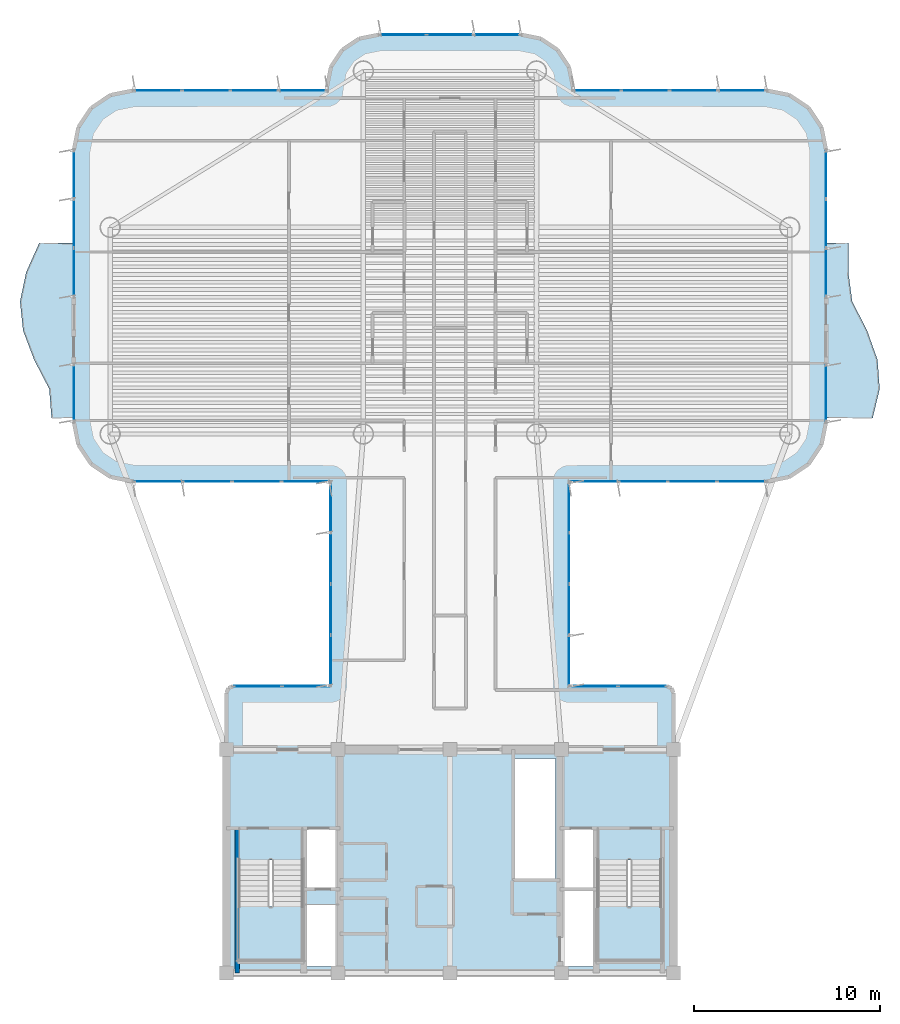
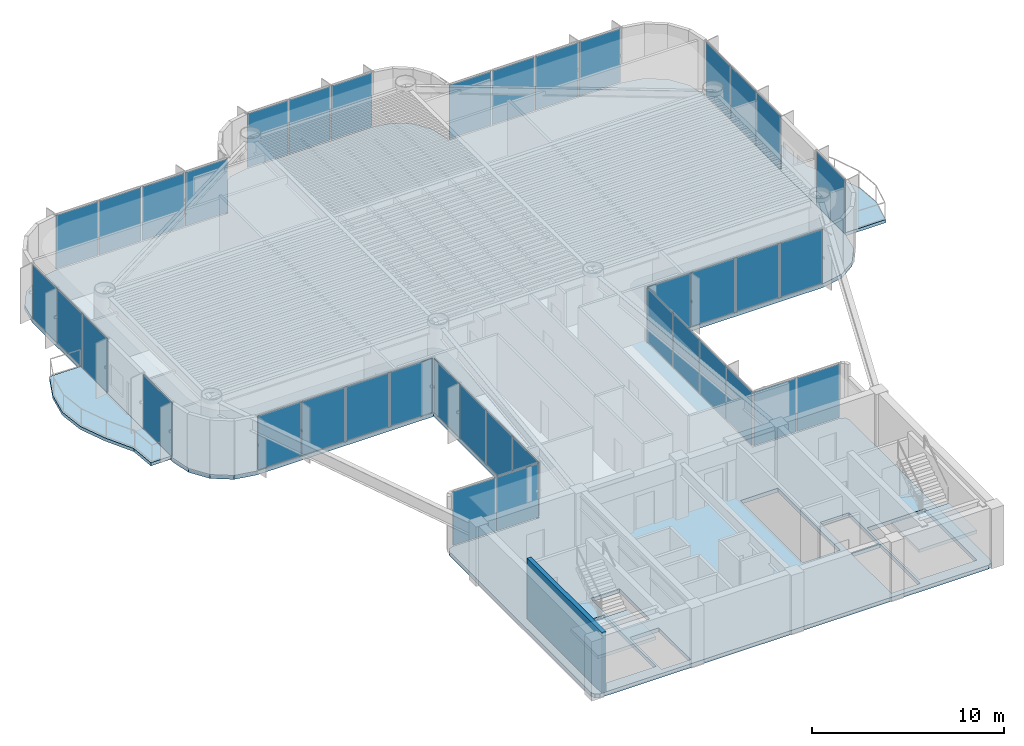
# One storey, part 8 of 15: 39 plates, 5 slabs, 1 wall, 15 elements without a shape of their own.
"""IFC4 building model written with IfcOpenShell, lengths in metres."""

from ifc_helpers import new_model, si_unit, direction, frame, frame_2d, origin, origin_2d, place, context, subcontext, project, spatial, polyline, rectangle, outline, extrude, source, transform, mapped, material, layer, layer_set, type_object, element, aggregate, save


model = new_model("IFC4")

# Units and contexts
model_context = context("Model", 3, precision=1e-05, world=origin(), true_north=direction((0.0, 1.0)))
body_context = subcontext(model_context, "Body", "Model", "MODEL_VIEW")
ifc_project = project(units=[si_unit("LENGTHUNIT", "METRE"), si_unit("AREAUNIT", "SQUARE_METRE"), si_unit("VOLUMEUNIT", "CUBIC_METRE"), si_unit("PLANEANGLEUNIT", "RADIAN"), si_unit("MASSUNIT", "GRAM", prefix="KILO")], contexts=[model_context])

# Site, building, storey
site_placement = place(None, origin())
site = spatial("IfcSite", under=ifc_project, at=site_placement, CompositionType="ELEMENT")
building_placement = place(site_placement, origin())
building = spatial("IfcBuilding", under=site, at=building_placement, Name="Brelvock Crest Care Tower", CompositionType="ELEMENT")
storey_placement = place(building_placement, frame((0.0, 0.0, 167.760009765625)))
storey = spatial("IfcBuildingStorey", under=building, at=storey_placement, Name="L42", CompositionType="ELEMENT", Elevation=167.760009765625)

# Slabs
ifc_material_1 = material(Name="Concrete N50 (50 MPa)", Category="concrete")
ifc_layer_1 = layer(ifc_material_1, 0.25, Name="SLB-FL3")
ifc_layer_set_1 = layer_set([ifc_layer_1], Name="Concrete N50 (50 MPa)")
slab_type_1 = type_object("IfcSlabType", Name="SLB-FL3", PredefinedType="FLOOR", material=ifc_layer_set_1)
slab_1_placement = place(storey_placement, frame((0.0, 0.0, -0.25)))
element("IfcSlab", 1, at=slab_1_placement, inside=storey, type_object=slab_type_1, Name="L42 Main Structural Slab", PredefinedType="FLOOR", context=body_context, shape_type="SweptSolid", body=[
    extrude(outline(polyline([(47.64990234375, 21.39990234375), (42.39990234375, 21.39990234375), (42.39990234375, 32.39990234375), (53.0, 32.39990234375), (54.224609375, 32.6435546875), (55.2626953125, 33.33740234375), (55.956298828125, 34.37548828125), (56.199951171875, 35.60009765625), (56.199951171875, 50.199951171875), (55.956298828125, 51.424560546875), (55.2626953125, 52.462646484375), (54.224609375, 53.156494140625), (53.0, 53.39990234375), (42.60009765625, 53.39990234375), (42.60009765625, 53.60009765625), (42.386962890625, 54.67138671875), (41.77978515625, 55.579833984375), (40.87158203125, 56.18701171875), (39.800048828125, 56.39990234375), (32.199951171875, 56.39990234375), (31.12841796875, 56.18701171875), (30.22021484375, 55.579833984375), (29.613037109375, 54.67138671875), (29.39990234375, 53.60009765625), (29.39990234375, 53.39990234375), (19.0, 53.39990234375), (17.775390625, 53.156494140625), (16.7373046875, 52.462646484375), (16.043701171875, 51.424560546875), (15.800048828125, 50.199951171875), (15.800048828125, 35.60009765625), (16.043701171875, 34.37548828125), (16.7373046875, 33.33740234375), (17.775390625, 32.6435546875), (19.0, 32.39990234375), (29.60009765625, 32.39990234375), (29.60009765625, 21.39990234375), (24.35009765625, 21.39990234375), (24.1025390625, 21.297607421875), (24.0, 21.050048828125), (24.0, 6.35009765625), (24.1025390625, 6.1025390625), (24.35009765625, 6.0), (47.64990234375, 6.0), (47.8974609375, 6.1025390625), (48.0, 6.35009765625), (48.0, 21.050048828125), (47.8974609375, 21.297607421875), (47.64990234375, 21.39990234375)]), holes=[polyline([(28.239990234375, 10.580078125), (29.97998046875, 10.580078125), (29.97998046875, 13.739990234375), (28.239990234375, 13.739990234375), (28.239990234375, 10.580078125)]), polyline([(42.02001953125, 10.580078125), (43.760009765625, 10.580078125), (43.760009765625, 13.739990234375), (42.02001953125, 13.739990234375), (42.02001953125, 10.580078125)]), polyline([(28.239990234375, 6.340087890625), (29.97998046875, 6.340087890625), (29.97998046875, 9.64990234375), (28.239990234375, 9.64990234375), (28.239990234375, 6.340087890625)]), polyline([(24.6298828125, 12.080078125), (24.6298828125, 6.699951171875), (28.110107421875, 6.699951171875), (28.110107421875, 12.080078125), (24.6298828125, 12.080078125)]), polyline([(43.889892578125, 12.080078125), (43.889892578125, 6.699951171875), (47.3701171875, 6.699951171875), (47.3701171875, 12.080078125), (43.889892578125, 12.080078125)]), polyline([(42.02001953125, 6.340087890625), (43.760009765625, 6.340087890625), (43.760009765625, 10.5), (42.02001953125, 10.5), (42.02001953125, 6.340087890625)]), polyline([(39.429931640625, 11.030029296875), (41.669921875, 11.030029296875), (41.669921875, 17.52001953125), (39.429931640625, 17.52001953125), (39.429931640625, 11.030029296875)])]), origin(), (0.0, 0.0, 1.0), 0.25),
])
ifc_layer_2 = layer(ifc_material_1, 0.199951171875, Name="SLB-WB2")
ifc_layer_set_2 = layer_set([ifc_layer_2], Name="Concrete N50 (50 MPa)")
slab_type_2 = type_object("IfcSlabType", Name="SLB-WB2", PredefinedType="FLOOR", material=ifc_layer_set_2)
slab_2_placement = place(storey_placement, frame((0.0, 0.0, -0.199951171875)))
element("IfcSlab", 2, at=slab_2_placement, inside=storey, type_object=slab_type_2, Name="L42 W Sinusoidal Wave Balcony Slab", PredefinedType="FLOOR", context=body_context, shape_type="SweptSolid", body=[
    extrude(outline(polyline([(15.800048828125, 45.199951171875), (13.934814453125, 45.199951171875), (13.235107421875, 43.63330078125), (12.907470703125, 42.066650390625), (13.072021484375, 40.5), (13.668701171875, 38.933349609375), (14.478515625, 37.36669921875), (14.60009765625, 35.800048828125), (15.800048828125, 35.800048828125), (15.800048828125, 45.199951171875)])), origin(), (0.0, 0.0, 1.0), 0.199951171875),
])
slab_3_placement = place(storey_placement, frame((0.0, 0.0, -0.199951171875)))
element("IfcSlab", 3, at=slab_3_placement, inside=storey, type_object=slab_type_2, Name="L42 E Sinusoidal Wave Balcony Slab", PredefinedType="FLOOR", context=body_context, shape_type="SweptSolid", body=[
    extrude(outline(polyline([(56.199951171875, 35.800048828125), (58.70458984375, 35.800048828125), (59.08056640625, 37.36669921875), (58.968505859375, 38.933349609375), (58.40966796875, 40.5), (57.60888671875, 42.066650390625), (57.39990234375, 43.63330078125), (57.39990234375, 45.199951171875), (56.199951171875, 45.199951171875), (56.199951171875, 35.800048828125)])), origin(), (0.0, 0.0, 1.0), 0.199951171875),
])

# Stair, slab
ifc_material_2 = material(Name="Concrete N40 (40 MPa)", Category="concrete")
stair_type = type_object("IfcStairType", Name="ST-CORE1", PredefinedType="HALF_TURN_STAIR", material=ifc_material_2)
stair_1_placement = place(storey_placement, origin())
stair_1 = element("IfcStair", 4, at=stair_1_placement, inside=storey, type_object=stair_type, Name="L42 Fire-Isolated Core Stair ST-1", PredefinedType="HALF_TURN_STAIR")
ifc_layer_3 = layer(ifc_material_2, 0.199951171875, Name="STL-1")
ifc_layer_set_3 = layer_set([ifc_layer_3], Name="Concrete N40 (40 MPa)")
slab_type_3 = type_object("IfcSlabType", Name="STL-1", PredefinedType="LANDING", material=ifc_layer_set_3)
slab_4_placement = place(storey_placement, frame((0.0, 0.0, 1.68994140625)))
slab_4 = element("IfcSlab", 5, at=slab_4_placement, type_object=slab_type_3, Name="ST-1 landing 1", PredefinedType="LANDING", context=body_context, shape_type="SweptSolid", body=[
    extrude(outline(polyline([(24.6298828125, 9.56005859375), (24.6298828125, 6.699951171875), (28.110107421875, 6.699951171875), (28.110107421875, 9.56005859375), (24.6298828125, 9.56005859375)])), origin(), (0.0, 0.0, 1.0), 0.199951171875),
])
aggregate(stair_1, [slab_4])

stair_2_placement = place(storey_placement, origin())
stair_2 = element("IfcStair", 6, at=stair_2_placement, inside=storey, type_object=stair_type, Name="L42 Fire-Isolated Core Stair ST-2", PredefinedType="HALF_TURN_STAIR")
slab_5_placement = place(storey_placement, frame((0.0, 0.0, 1.68994140625)))
slab_5 = element("IfcSlab", 7, at=slab_5_placement, type_object=slab_type_3, Name="ST-2 landing 1", PredefinedType="LANDING", context=body_context, shape_type="SweptSolid", body=[
    extrude(outline(polyline([(43.889892578125, 9.56005859375), (43.889892578125, 6.699951171875), (47.3701171875, 6.699951171875), (47.3701171875, 9.56005859375), (43.889892578125, 9.56005859375)])), origin(), (0.0, 0.0, 1.0), 0.199951171875),
])
aggregate(stair_2, [slab_5])

# Curtain wall, plates
ifc_material_3 = material(Name="Dark Glass Double Glazed Low-E", Category="glass")
ifc_layer_4 = layer(ifc_material_3, 0.22509765625, Name="CWS-4")
ifc_layer_set_4 = layer_set([ifc_layer_4], Name="Dark Glass Double Glazed Low-E")
curtain_wall_type = type_object("IfcCurtainWallType", Name="CWS-4", PredefinedType="NOTDEFINED", material=ifc_layer_set_4)
curtain_wall_1_placement = place(storey_placement, origin())
curtain_wall_1 = element("IfcCurtainWall", 8, at=curtain_wall_1_placement, inside=storey, type_object=curtain_wall_type, Name="L42 Curtain Wall E10", PredefinedType="NOTDEFINED")
ifc_layer_5 = layer(ifc_material_3, 0.0380859375, Name="CWP-V2")
ifc_layer_set_5 = layer_set([ifc_layer_5], Name="Dark Glass Double Glazed Low-E")
plate_type = type_object("IfcPlateType", Name="CWP-V2", PredefinedType="CURTAIN_PANEL", material=ifc_layer_set_5)
shared_shape_1 = source(origin(), body_context, "Body", "SweptSolid", [
    extrude(rectangle(XDim=2.534912109375, YDim=0.035888671875, at=origin_2d()), origin(), (0.0, 0.0, 1.0), 3.409912109375),
])
plate_1_placement = place(storey_placement, frame((25.677490234375, 21.39990234375, 0.06005859375), z_axis=(0.0, 0.0, 1.0), x_axis=(1.0, 0.0, 0.0)))
plate_1 = element("IfcPlate", 9, at=plate_1_placement, type_object=plate_type, Name="CW-4 panel 1.1", PredefinedType="CURTAIN_PANEL", context=body_context, shape_type="MappedRepresentation", body=[
    mapped(shared_shape_1, transform((0.0, 0.0, 0.0), x_axis=(1.0, 0.0, 0.0), y_axis=(0.0, 1.0, 0.0), z_axis=(0.0, 0.0, 1.0), scale=1.0)),
])
plate_2_placement = place(storey_placement, frame((28.2724609375, 21.39990234375, 0.06005859375), z_axis=(0.0, 0.0, 1.0), x_axis=(1.0, 0.0, 0.0)))
plate_2 = element("IfcPlate", 10, at=plate_2_placement, type_object=plate_type, Name="CW-4 panel 2.1", PredefinedType="CURTAIN_PANEL", context=body_context, shape_type="MappedRepresentation", body=[
    mapped(shared_shape_1, transform((0.0, 0.0, 0.0), x_axis=(1.0, 0.0, 0.0), y_axis=(0.0, 1.0, 0.0), z_axis=(0.0, 0.0, 1.0), scale=1.0)),
])
aggregate(curtain_wall_1, [plate_1, plate_2])

curtain_wall_2_placement = place(storey_placement, origin())
curtain_wall_2 = element("IfcCurtainWall", 11, at=curtain_wall_2_placement, inside=storey, type_object=curtain_wall_type, Name="L42 Curtain Wall E46", PredefinedType="NOTDEFINED")
plate_3_placement = place(storey_placement, frame((43.7275390625, 21.39990234375, 0.06005859375), z_axis=(0.0, 0.0, 1.0), x_axis=(1.0, 0.0, 0.0)))
plate_3 = element("IfcPlate", 12, at=plate_3_placement, type_object=plate_type, Name="CW-4 panel 1.1", PredefinedType="CURTAIN_PANEL", context=body_context, shape_type="MappedRepresentation", body=[
    mapped(shared_shape_1, transform((0.0, 0.0, 0.0), x_axis=(1.0, 0.0, 0.0), y_axis=(0.0, 1.0, 0.0), z_axis=(0.0, 0.0, 1.0), scale=1.0)),
])
plate_4_placement = place(storey_placement, frame((46.322509765625, 21.39990234375, 0.06005859375), z_axis=(0.0, 0.0, 1.0), x_axis=(1.0, 0.0, 0.0)))
plate_4 = element("IfcPlate", 13, at=plate_4_placement, type_object=plate_type, Name="CW-4 panel 2.1", PredefinedType="CURTAIN_PANEL", context=body_context, shape_type="MappedRepresentation", body=[
    mapped(shared_shape_1, transform((0.0, 0.0, 0.0), x_axis=(1.0, 0.0, 0.0), y_axis=(0.0, 1.0, 0.0), z_axis=(0.0, 0.0, 1.0), scale=1.0)),
])
aggregate(curtain_wall_2, [plate_3, plate_4])

curtain_wall_3_placement = place(storey_placement, origin())
curtain_wall_3 = element("IfcCurtainWall", 14, at=curtain_wall_3_placement, inside=storey, type_object=curtain_wall_type, Name="L42 Curtain Wall E11", PredefinedType="NOTDEFINED")
shared_shape_2 = source(origin(), body_context, "Body", "SweptSolid", [
    extrude(rectangle(XDim=2.659912109375, YDim=0.035888671875, at=origin_2d()), origin(), (0.0, 0.0, 1.0), 3.409912109375),
])
plate_5_placement = place(storey_placement, frame((29.60009765625, 22.7900390625, 0.06005859375), z_axis=(0.0, 0.0, 1.0), x_axis=(0.0, 1.0, 0.0)))
plate_5 = element("IfcPlate", 15, at=plate_5_placement, type_object=plate_type, Name="CW-4 panel 1.1", PredefinedType="CURTAIN_PANEL", context=body_context, shape_type="MappedRepresentation", body=[
    mapped(shared_shape_2, transform((0.0, 0.0, 0.0), x_axis=(1.0, 0.0, 0.0), y_axis=(0.0, 1.0, 0.0), z_axis=(0.0, 0.0, 1.0), scale=1.0)),
])
plate_6_placement = place(storey_placement, frame((29.60009765625, 31.010009765625, 0.06005859375), z_axis=(0.0, 0.0, 1.0), x_axis=(0.0, 1.0, 0.0)))
plate_6 = element("IfcPlate", 16, at=plate_6_placement, type_object=plate_type, Name="CW-4 panel 4.1", PredefinedType="CURTAIN_PANEL", context=body_context, shape_type="MappedRepresentation", body=[
    mapped(shared_shape_2, transform((0.0, 0.0, 0.0), x_axis=(1.0, 0.0, 0.0), y_axis=(0.0, 1.0, 0.0), z_axis=(0.0, 0.0, 1.0), scale=1.0)),
])

curtain_wall_4_placement = place(storey_placement, origin())
curtain_wall_4 = element("IfcCurtainWall", 17, at=curtain_wall_4_placement, inside=storey, type_object=curtain_wall_type, Name="L42 Curtain Wall E45", PredefinedType="NOTDEFINED")
plate_7_placement = place(storey_placement, frame((42.39990234375, 31.010009765625, 0.06005859375), z_axis=(0.0, 0.0, 1.0), x_axis=(0.0, -1.0, 0.0)))
plate_7 = element("IfcPlate", 18, at=plate_7_placement, type_object=plate_type, Name="CW-4 panel 1.1", PredefinedType="CURTAIN_PANEL", context=body_context, shape_type="MappedRepresentation", body=[
    mapped(shared_shape_2, transform((0.0, 0.0, 0.0), x_axis=(1.0, 0.0, 0.0), y_axis=(0.0, 1.0, 0.0), z_axis=(0.0, 0.0, 1.0), scale=1.0)),
])
plate_8_placement = place(storey_placement, frame((42.39990234375, 22.7900390625, 0.06005859375), z_axis=(0.0, 0.0, 1.0), x_axis=(0.0, -1.0, 0.0)))
plate_8 = element("IfcPlate", 19, at=plate_8_placement, type_object=plate_type, Name="CW-4 panel 4.1", PredefinedType="CURTAIN_PANEL", context=body_context, shape_type="MappedRepresentation", body=[
    mapped(shared_shape_2, transform((0.0, 0.0, 0.0), x_axis=(1.0, 0.0, 0.0), y_axis=(0.0, 1.0, 0.0), z_axis=(0.0, 0.0, 1.0), scale=1.0)),
])

# Plate
shared_shape_3 = source(origin(), body_context, "Body", "SweptSolid", [
    extrude(rectangle(XDim=2.68994140625, YDim=0.035888671875, at=origin_2d()), origin(), (0.0, 0.0, 1.0), 3.409912109375),
])
plate_9_placement = place(storey_placement, frame((29.60009765625, 25.52490234375, 0.06005859375), z_axis=(0.0, 0.0, 1.0), x_axis=(0.0, 1.0, 0.0)))
plate_9 = element("IfcPlate", 20, at=plate_9_placement, type_object=plate_type, Name="CW-4 panel 2.1", PredefinedType="CURTAIN_PANEL", context=body_context, shape_type="MappedRepresentation", body=[
    mapped(shared_shape_3, transform((0.0, 0.0, 0.0), x_axis=(1.0, 0.0, 0.0), y_axis=(0.0, 1.0, 0.0), z_axis=(0.0, 0.0, 1.0), scale=1.0)),
])

plate_10_placement = place(storey_placement, frame((29.60009765625, 28.27490234375, 0.06005859375), z_axis=(0.0, 0.0, 1.0), x_axis=(0.0, 1.0, 0.0)))
plate_10 = element("IfcPlate", 21, at=plate_10_placement, type_object=plate_type, Name="CW-4 panel 3.1", PredefinedType="CURTAIN_PANEL", context=body_context, shape_type="MappedRepresentation", body=[
    mapped(shared_shape_3, transform((0.0, 0.0, 0.0), x_axis=(1.0, 0.0, 0.0), y_axis=(0.0, 1.0, 0.0), z_axis=(0.0, 0.0, 1.0), scale=1.0)),
])

aggregate(curtain_wall_3, [plate_5, plate_9, plate_10, plate_6])

plate_11_placement = place(storey_placement, frame((42.39990234375, 28.27490234375, 0.06005859375), z_axis=(0.0, 0.0, 1.0), x_axis=(0.0, -1.0, 0.0)))
plate_11 = element("IfcPlate", 22, at=plate_11_placement, type_object=plate_type, Name="CW-4 panel 2.1", PredefinedType="CURTAIN_PANEL", context=body_context, shape_type="MappedRepresentation", body=[
    mapped(shared_shape_3, transform((0.0, 0.0, 0.0), x_axis=(1.0, 0.0, 0.0), y_axis=(0.0, 1.0, 0.0), z_axis=(0.0, 0.0, 1.0), scale=1.0)),
])

plate_12_placement = place(storey_placement, frame((42.39990234375, 25.52490234375, 0.06005859375), z_axis=(0.0, 0.0, 1.0), x_axis=(0.0, -1.0, 0.0)))
plate_12 = element("IfcPlate", 23, at=plate_12_placement, type_object=plate_type, Name="CW-4 panel 3.1", PredefinedType="CURTAIN_PANEL", context=body_context, shape_type="MappedRepresentation", body=[
    mapped(shared_shape_3, transform((0.0, 0.0, 0.0), x_axis=(1.0, 0.0, 0.0), y_axis=(0.0, 1.0, 0.0), z_axis=(0.0, 0.0, 1.0), scale=1.0)),
])

aggregate(curtain_wall_4, [plate_7, plate_11, plate_12, plate_8])

# Curtain wall, plates
curtain_wall_5_placement = place(storey_placement, origin())
curtain_wall_5 = element("IfcCurtainWall", 24, at=curtain_wall_5_placement, inside=storey, type_object=curtain_wall_type, Name="L42 Curtain Wall E12", PredefinedType="NOTDEFINED")
shared_shape_4 = source(origin(), body_context, "Body", "SweptSolid", [
    extrude(rectangle(XDim=2.56005859375, YDim=0.035888671875, at=origin_2d()), origin(), (0.0, 0.0, 1.0), 3.409912109375),
])
plate_13_placement = place(storey_placement, frame((28.260009765625, 32.39990234375, 0.06005859375), z_axis=(0.0, 0.0, 1.0), x_axis=(-1.0, 0.0, 0.0)))
plate_13 = element("IfcPlate", 25, at=plate_13_placement, type_object=plate_type, Name="CW-4 panel 1.1", PredefinedType="CURTAIN_PANEL", context=body_context, shape_type="MappedRepresentation", body=[
    mapped(shared_shape_4, transform((0.0, 0.0, 0.0), x_axis=(1.0, 0.0, 0.0), y_axis=(0.0, 1.0, 0.0), z_axis=(0.0, 0.0, 1.0), scale=1.0)),
])
plate_14_placement = place(storey_placement, frame((20.340087890625, 32.39990234375, 0.06005859375), z_axis=(0.0, 0.0, 1.0), x_axis=(-1.0, 0.0, 0.0)))
plate_14 = element("IfcPlate", 26, at=plate_14_placement, type_object=plate_type, Name="CW-4 panel 4.1", PredefinedType="CURTAIN_PANEL", context=body_context, shape_type="MappedRepresentation", body=[
    mapped(shared_shape_4, transform((0.0, 0.0, 0.0), x_axis=(1.0, 0.0, 0.0), y_axis=(0.0, 1.0, 0.0), z_axis=(0.0, 0.0, 1.0), scale=1.0)),
])

curtain_wall_6_placement = place(storey_placement, origin())
curtain_wall_6 = element("IfcCurtainWall", 27, at=curtain_wall_6_placement, inside=storey, type_object=curtain_wall_type, Name="L42 Curtain Wall E44", PredefinedType="NOTDEFINED")
plate_15_placement = place(storey_placement, frame((51.659912109375, 32.39990234375, 0.06005859375), z_axis=(0.0, 0.0, 1.0), x_axis=(-1.0, 0.0, 0.0)))
plate_15 = element("IfcPlate", 28, at=plate_15_placement, type_object=plate_type, Name="CW-4 panel 1.1", PredefinedType="CURTAIN_PANEL", context=body_context, shape_type="MappedRepresentation", body=[
    mapped(shared_shape_4, transform((0.0, 0.0, 0.0), x_axis=(1.0, 0.0, 0.0), y_axis=(0.0, 1.0, 0.0), z_axis=(0.0, 0.0, 1.0), scale=1.0)),
])
plate_16_placement = place(storey_placement, frame((43.739990234375, 32.39990234375, 0.06005859375), z_axis=(0.0, 0.0, 1.0), x_axis=(-1.0, 0.0, 0.0)))
plate_16 = element("IfcPlate", 29, at=plate_16_placement, type_object=plate_type, Name="CW-4 panel 4.1", PredefinedType="CURTAIN_PANEL", context=body_context, shape_type="MappedRepresentation", body=[
    mapped(shared_shape_4, transform((0.0, 0.0, 0.0), x_axis=(1.0, 0.0, 0.0), y_axis=(0.0, 1.0, 0.0), z_axis=(0.0, 0.0, 1.0), scale=1.0)),
])

# Plate
shared_shape_5 = source(origin(), body_context, "Body", "SweptSolid", [
    extrude(rectangle(XDim=2.590087890625, YDim=0.035888671875, at=origin_2d()), origin(), (0.0, 0.0, 1.0), 3.409912109375),
])
plate_17_placement = place(storey_placement, frame((25.625, 32.39990234375, 0.06005859375), z_axis=(0.0, 0.0, 1.0), x_axis=(-1.0, 0.0, 0.0)))
plate_17 = element("IfcPlate", 30, at=plate_17_placement, type_object=plate_type, Name="CW-4 panel 2.1", PredefinedType="CURTAIN_PANEL", context=body_context, shape_type="MappedRepresentation", body=[
    mapped(shared_shape_5, transform((0.0, 0.0, 0.0), x_axis=(1.0, 0.0, 0.0), y_axis=(0.0, 1.0, 0.0), z_axis=(0.0, 0.0, 1.0), scale=1.0)),
])

plate_18_placement = place(storey_placement, frame((22.97509765625, 32.39990234375, 0.06005859375), z_axis=(0.0, 0.0, 1.0), x_axis=(-1.0, 0.0, 0.0)))
plate_18 = element("IfcPlate", 31, at=plate_18_placement, type_object=plate_type, Name="CW-4 panel 3.1", PredefinedType="CURTAIN_PANEL", context=body_context, shape_type="MappedRepresentation", body=[
    mapped(shared_shape_5, transform((0.0, 0.0, 0.0), x_axis=(1.0, 0.0, 0.0), y_axis=(0.0, 1.0, 0.0), z_axis=(0.0, 0.0, 1.0), scale=1.0)),
])

aggregate(curtain_wall_5, [plate_13, plate_17, plate_18, plate_14])

plate_19_placement = place(storey_placement, frame((49.02490234375, 32.39990234375, 0.06005859375), z_axis=(0.0, 0.0, 1.0), x_axis=(-1.0, 0.0, 0.0)))
plate_19 = element("IfcPlate", 32, at=plate_19_placement, type_object=plate_type, Name="CW-4 panel 2.1", PredefinedType="CURTAIN_PANEL", context=body_context, shape_type="MappedRepresentation", body=[
    mapped(shared_shape_5, transform((0.0, 0.0, 0.0), x_axis=(1.0, 0.0, 0.0), y_axis=(0.0, 1.0, 0.0), z_axis=(0.0, 0.0, 1.0), scale=1.0)),
])

plate_20_placement = place(storey_placement, frame((46.375, 32.39990234375, 0.06005859375), z_axis=(0.0, 0.0, 1.0), x_axis=(-1.0, 0.0, 0.0)))
plate_20 = element("IfcPlate", 33, at=plate_20_placement, type_object=plate_type, Name="CW-4 panel 3.1", PredefinedType="CURTAIN_PANEL", context=body_context, shape_type="MappedRepresentation", body=[
    mapped(shared_shape_5, transform((0.0, 0.0, 0.0), x_axis=(1.0, 0.0, 0.0), y_axis=(0.0, 1.0, 0.0), z_axis=(0.0, 0.0, 1.0), scale=1.0)),
])

aggregate(curtain_wall_6, [plate_15, plate_19, plate_20, plate_16])

# Curtain wall, plates
curtain_wall_7_placement = place(storey_placement, origin())
curtain_wall_7 = element("IfcCurtainWall", 34, at=curtain_wall_7_placement, inside=storey, type_object=curtain_wall_type, Name="L42 Curtain Wall E22", PredefinedType="NOTDEFINED")
shared_shape_6 = source(origin(), body_context, "Body", "SweptSolid", [
    extrude(rectangle(XDim=2.510009765625, YDim=0.035888671875, at=origin_2d()), origin(), (0.0, 0.0, 1.0), 3.409912109375),
])
plate_21_placement = place(storey_placement, frame((20.31494140625, 53.39990234375, 0.06005859375), z_axis=(0.0, 0.0, 1.0), x_axis=(1.0, 0.0, 0.0)))
plate_21 = element("IfcPlate", 35, at=plate_21_placement, type_object=plate_type, Name="CW-4 panel 1.1", PredefinedType="CURTAIN_PANEL", context=body_context, shape_type="MappedRepresentation", body=[
    mapped(shared_shape_6, transform((0.0, 0.0, 0.0), x_axis=(1.0, 0.0, 0.0), y_axis=(0.0, 1.0, 0.0), z_axis=(0.0, 0.0, 1.0), scale=1.0)),
])
plate_22_placement = place(storey_placement, frame((28.0849609375, 53.39990234375, 0.06005859375), z_axis=(0.0, 0.0, 1.0), x_axis=(1.0, 0.0, 0.0)))
plate_22 = element("IfcPlate", 36, at=plate_22_placement, type_object=plate_type, Name="CW-4 panel 4.1", PredefinedType="CURTAIN_PANEL", context=body_context, shape_type="MappedRepresentation", body=[
    mapped(shared_shape_6, transform((0.0, 0.0, 0.0), x_axis=(1.0, 0.0, 0.0), y_axis=(0.0, 1.0, 0.0), z_axis=(0.0, 0.0, 1.0), scale=1.0)),
])

curtain_wall_8_placement = place(storey_placement, origin())
curtain_wall_8 = element("IfcCurtainWall", 37, at=curtain_wall_8_placement, inside=storey, type_object=curtain_wall_type, Name="L42 Curtain Wall E34", PredefinedType="NOTDEFINED")
plate_23_placement = place(storey_placement, frame((43.9150390625, 53.39990234375, 0.06005859375), z_axis=(0.0, 0.0, 1.0), x_axis=(1.0, 0.0, 0.0)))
plate_23 = element("IfcPlate", 38, at=plate_23_placement, type_object=plate_type, Name="CW-4 panel 1.1", PredefinedType="CURTAIN_PANEL", context=body_context, shape_type="MappedRepresentation", body=[
    mapped(shared_shape_6, transform((0.0, 0.0, 0.0), x_axis=(1.0, 0.0, 0.0), y_axis=(0.0, 1.0, 0.0), z_axis=(0.0, 0.0, 1.0), scale=1.0)),
])
plate_24_placement = place(storey_placement, frame((51.68505859375, 53.39990234375, 0.06005859375), z_axis=(0.0, 0.0, 1.0), x_axis=(1.0, 0.0, 0.0)))
plate_24 = element("IfcPlate", 39, at=plate_24_placement, type_object=plate_type, Name="CW-4 panel 4.1", PredefinedType="CURTAIN_PANEL", context=body_context, shape_type="MappedRepresentation", body=[
    mapped(shared_shape_6, transform((0.0, 0.0, 0.0), x_axis=(1.0, 0.0, 0.0), y_axis=(0.0, 1.0, 0.0), z_axis=(0.0, 0.0, 1.0), scale=1.0)),
])

# Plate
shared_shape_7 = source(origin(), body_context, "Body", "SweptSolid", [
    extrude(rectangle(XDim=2.5400390625, YDim=0.035888671875, at=origin_2d()), origin(), (0.0, 0.0, 1.0), 3.409912109375),
])
plate_25_placement = place(storey_placement, frame((22.89990234375, 53.39990234375, 0.06005859375), z_axis=(0.0, 0.0, 1.0), x_axis=(1.0, 0.0, 0.0)))
plate_25 = element("IfcPlate", 40, at=plate_25_placement, type_object=plate_type, Name="CW-4 panel 2.1", PredefinedType="CURTAIN_PANEL", context=body_context, shape_type="MappedRepresentation", body=[
    mapped(shared_shape_7, transform((0.0, 0.0, 0.0), x_axis=(1.0, 0.0, 0.0), y_axis=(0.0, 1.0, 0.0), z_axis=(0.0, 0.0, 1.0), scale=1.0)),
])

plate_26_placement = place(storey_placement, frame((25.5, 53.39990234375, 0.06005859375), z_axis=(0.0, 0.0, 1.0), x_axis=(1.0, 0.0, 0.0)))
plate_26 = element("IfcPlate", 41, at=plate_26_placement, type_object=plate_type, Name="CW-4 panel 3.1", PredefinedType="CURTAIN_PANEL", context=body_context, shape_type="MappedRepresentation", body=[
    mapped(shared_shape_7, transform((0.0, 0.0, 0.0), x_axis=(1.0, 0.0, 0.0), y_axis=(0.0, 1.0, 0.0), z_axis=(0.0, 0.0, 1.0), scale=1.0)),
])

aggregate(curtain_wall_7, [plate_21, plate_25, plate_26, plate_22])

plate_27_placement = place(storey_placement, frame((46.5, 53.39990234375, 0.06005859375), z_axis=(0.0, 0.0, 1.0), x_axis=(1.0, 0.0, 0.0)))
plate_27 = element("IfcPlate", 42, at=plate_27_placement, type_object=plate_type, Name="CW-4 panel 2.1", PredefinedType="CURTAIN_PANEL", context=body_context, shape_type="MappedRepresentation", body=[
    mapped(shared_shape_7, transform((0.0, 0.0, 0.0), x_axis=(1.0, 0.0, 0.0), y_axis=(0.0, 1.0, 0.0), z_axis=(0.0, 0.0, 1.0), scale=1.0)),
])

plate_28_placement = place(storey_placement, frame((49.10009765625, 53.39990234375, 0.06005859375), z_axis=(0.0, 0.0, 1.0), x_axis=(1.0, 0.0, 0.0)))
plate_28 = element("IfcPlate", 43, at=plate_28_placement, type_object=plate_type, Name="CW-4 panel 3.1", PredefinedType="CURTAIN_PANEL", context=body_context, shape_type="MappedRepresentation", body=[
    mapped(shared_shape_7, transform((0.0, 0.0, 0.0), x_axis=(1.0, 0.0, 0.0), y_axis=(0.0, 1.0, 0.0), z_axis=(0.0, 0.0, 1.0), scale=1.0)),
])

aggregate(curtain_wall_8, [plate_23, plate_27, plate_28, plate_24])

# Curtain wall, plates
curtain_wall_9_placement = place(storey_placement, origin())
curtain_wall_9 = element("IfcCurtainWall", 44, at=curtain_wall_9_placement, inside=storey, type_object=curtain_wall_type, Name="L42 Curtain Wall E28", PredefinedType="NOTDEFINED")
shared_shape_8 = source(origin(), body_context, "Body", "SweptSolid", [
    extrude(rectangle(XDim=2.443359375, YDim=0.035888671875, at=origin_2d()), origin(), (0.0, 0.0, 1.0), 3.409912109375),
])
plate_29_placement = place(storey_placement, frame((33.481689453125, 56.39990234375, 0.06005859375), z_axis=(0.0, 0.0, 1.0), x_axis=(1.0, 0.0, 0.0)))
plate_29 = element("IfcPlate", 45, at=plate_29_placement, type_object=plate_type, Name="CW-4 panel 1.1", PredefinedType="CURTAIN_PANEL", context=body_context, shape_type="MappedRepresentation", body=[
    mapped(shared_shape_8, transform((0.0, 0.0, 0.0), x_axis=(1.0, 0.0, 0.0), y_axis=(0.0, 1.0, 0.0), z_axis=(0.0, 0.0, 1.0), scale=1.0)),
])
plate_30_placement = place(storey_placement, frame((38.518310546875, 56.39990234375, 0.06005859375), z_axis=(0.0, 0.0, 1.0), x_axis=(1.0, 0.0, 0.0)))
plate_30 = element("IfcPlate", 46, at=plate_30_placement, type_object=plate_type, Name="CW-4 panel 3.1", PredefinedType="CURTAIN_PANEL", context=body_context, shape_type="MappedRepresentation", body=[
    mapped(shared_shape_8, transform((0.0, 0.0, 0.0), x_axis=(1.0, 0.0, 0.0), y_axis=(0.0, 1.0, 0.0), z_axis=(0.0, 0.0, 1.0), scale=1.0)),
])
shared_shape_9 = source(origin(), body_context, "Body", "SweptSolid", [
    extrude(rectangle(XDim=2.473388671875, YDim=0.035888671875, at=origin_2d()), origin(), (0.0, 0.0, 1.0), 3.409912109375),
])
plate_31_placement = place(storey_placement, frame((36.0, 56.39990234375, 0.06005859375), z_axis=(0.0, 0.0, 1.0), x_axis=(1.0, 0.0, 0.0)))
plate_31 = element("IfcPlate", 47, at=plate_31_placement, type_object=plate_type, Name="CW-4 panel 2.1", PredefinedType="CURTAIN_PANEL", context=body_context, shape_type="MappedRepresentation", body=[
    mapped(shared_shape_9, transform((0.0, 0.0, 0.0), x_axis=(1.0, 0.0, 0.0), y_axis=(0.0, 1.0, 0.0), z_axis=(0.0, 0.0, 1.0), scale=1.0)),
])
aggregate(curtain_wall_9, [plate_29, plate_31, plate_30])

# Curtain wall, plate
curtain_wall_10_placement = place(storey_placement, origin())
curtain_wall_10 = element("IfcCurtainWall", 48, at=curtain_wall_10_placement, inside=storey, type_object=curtain_wall_type, Name="L42 Curtain Wall E17A", PredefinedType="NOTDEFINED")
shared_shape_10 = source(origin(), body_context, "Body", "SweptSolid", [
    extrude(rectangle(XDim=2.97998046875, YDim=0.035888671875, at=origin_2d()), origin(), (0.0, 0.0, 1.0), 3.409912109375),
])
plate_32_placement = place(storey_placement, frame((15.800048828125, 37.14990234375, 0.06005859375), z_axis=(0.0, 0.0, 1.0), x_axis=(0.0, 1.0, 0.0)))
plate_32 = element("IfcPlate", 49, at=plate_32_placement, type_object=plate_type, Name="CW-4 panel 1.1", PredefinedType="CURTAIN_PANEL", context=body_context, shape_type="MappedRepresentation", body=[
    mapped(shared_shape_10, transform((0.0, 0.0, 0.0), x_axis=(1.0, 0.0, 0.0), y_axis=(0.0, 1.0, 0.0), z_axis=(0.0, 0.0, 1.0), scale=1.0)),
])
aggregate(curtain_wall_10, [plate_32])

curtain_wall_11_placement = place(storey_placement, origin())
curtain_wall_11 = element("IfcCurtainWall", 50, at=curtain_wall_11_placement, inside=storey, type_object=curtain_wall_type, Name="L42 Curtain Wall E39B", PredefinedType="NOTDEFINED")
plate_33_placement = place(storey_placement, frame((56.199951171875, 37.14990234375, 0.06005859375), z_axis=(0.0, 0.0, 1.0), x_axis=(0.0, -1.0, 0.0)))
plate_33 = element("IfcPlate", 51, at=plate_33_placement, type_object=plate_type, Name="CW-4 panel 1.1", PredefinedType="CURTAIN_PANEL", context=body_context, shape_type="MappedRepresentation", body=[
    mapped(shared_shape_10, transform((0.0, 0.0, 0.0), x_axis=(1.0, 0.0, 0.0), y_axis=(0.0, 1.0, 0.0), z_axis=(0.0, 0.0, 1.0), scale=1.0)),
])
aggregate(curtain_wall_11, [plate_33])

# Curtain wall, plates
curtain_wall_12_placement = place(storey_placement, origin())
curtain_wall_12 = element("IfcCurtainWall", 52, at=curtain_wall_12_placement, inside=storey, type_object=curtain_wall_type, Name="L42 Curtain Wall E17B", PredefinedType="NOTDEFINED")
shared_shape_11 = source(origin(), body_context, "Body", "SweptSolid", [
    extrude(rectangle(XDim=2.543212890625, YDim=0.035888671875, at=origin_2d()), origin(), (0.0, 0.0, 1.0), 3.409912109375),
])
plate_34_placement = place(storey_placement, frame((15.800048828125, 43.631591796875, 0.06005859375), z_axis=(0.0, 0.0, 1.0), x_axis=(0.0, 1.0, 0.0)))
plate_34 = element("IfcPlate", 53, at=plate_34_placement, type_object=plate_type, Name="CW-4 panel 1.1", PredefinedType="CURTAIN_PANEL", context=body_context, shape_type="MappedRepresentation", body=[
    mapped(shared_shape_11, transform((0.0, 0.0, 0.0), x_axis=(1.0, 0.0, 0.0), y_axis=(0.0, 1.0, 0.0), z_axis=(0.0, 0.0, 1.0), scale=1.0)),
])
plate_35_placement = place(storey_placement, frame((15.800048828125, 48.868408203125, 0.06005859375), z_axis=(0.0, 0.0, 1.0), x_axis=(0.0, 1.0, 0.0)))
plate_35 = element("IfcPlate", 54, at=plate_35_placement, type_object=plate_type, Name="CW-4 panel 3.1", PredefinedType="CURTAIN_PANEL", context=body_context, shape_type="MappedRepresentation", body=[
    mapped(shared_shape_11, transform((0.0, 0.0, 0.0), x_axis=(1.0, 0.0, 0.0), y_axis=(0.0, 1.0, 0.0), z_axis=(0.0, 0.0, 1.0), scale=1.0)),
])

curtain_wall_13_placement = place(storey_placement, origin())
curtain_wall_13 = element("IfcCurtainWall", 55, at=curtain_wall_13_placement, inside=storey, type_object=curtain_wall_type, Name="L42 Curtain Wall E39A", PredefinedType="NOTDEFINED")
plate_36_placement = place(storey_placement, frame((56.199951171875, 48.868408203125, 0.06005859375), z_axis=(0.0, 0.0, 1.0), x_axis=(0.0, -1.0, 0.0)))
plate_36 = element("IfcPlate", 56, at=plate_36_placement, type_object=plate_type, Name="CW-4 panel 1.1", PredefinedType="CURTAIN_PANEL", context=body_context, shape_type="MappedRepresentation", body=[
    mapped(shared_shape_11, transform((0.0, 0.0, 0.0), x_axis=(1.0, 0.0, 0.0), y_axis=(0.0, 1.0, 0.0), z_axis=(0.0, 0.0, 1.0), scale=1.0)),
])
plate_37_placement = place(storey_placement, frame((56.199951171875, 43.631591796875, 0.06005859375), z_axis=(0.0, 0.0, 1.0), x_axis=(0.0, -1.0, 0.0)))
plate_37 = element("IfcPlate", 57, at=plate_37_placement, type_object=plate_type, Name="CW-4 panel 3.1", PredefinedType="CURTAIN_PANEL", context=body_context, shape_type="MappedRepresentation", body=[
    mapped(shared_shape_11, transform((0.0, 0.0, 0.0), x_axis=(1.0, 0.0, 0.0), y_axis=(0.0, 1.0, 0.0), z_axis=(0.0, 0.0, 1.0), scale=1.0)),
])

# Plate
shared_shape_12 = source(origin(), body_context, "Body", "SweptSolid", [
    extrude(rectangle(XDim=2.5732421875, YDim=0.035888671875, at=origin_2d()), origin(), (0.0, 0.0, 1.0), 3.409912109375),
])
plate_38_placement = place(storey_placement, frame((15.800048828125, 46.25, 0.06005859375), z_axis=(0.0, 0.0, 1.0), x_axis=(0.0, 1.0, 0.0)))
plate_38 = element("IfcPlate", 58, at=plate_38_placement, type_object=plate_type, Name="CW-4 panel 2.1", PredefinedType="CURTAIN_PANEL", context=body_context, shape_type="MappedRepresentation", body=[
    mapped(shared_shape_12, transform((0.0, 0.0, 0.0), x_axis=(1.0, 0.0, 0.0), y_axis=(0.0, 1.0, 0.0), z_axis=(0.0, 0.0, 1.0), scale=1.0)),
])

aggregate(curtain_wall_12, [plate_34, plate_38, plate_35])

plate_39_placement = place(storey_placement, frame((56.199951171875, 46.25, 0.06005859375), z_axis=(0.0, 0.0, 1.0), x_axis=(0.0, -1.0, 0.0)))
plate_39 = element("IfcPlate", 59, at=plate_39_placement, type_object=plate_type, Name="CW-4 panel 2.1", PredefinedType="CURTAIN_PANEL", context=body_context, shape_type="MappedRepresentation", body=[
    mapped(shared_shape_12, transform((0.0, 0.0, 0.0), x_axis=(1.0, 0.0, 0.0), y_axis=(0.0, 1.0, 0.0), z_axis=(0.0, 0.0, 1.0), scale=1.0)),
])

aggregate(curtain_wall_13, [plate_36, plate_39, plate_37])

# Wall
ifc_material_4 = material(Name="Concrete S80 (80 MPa)", Category="concrete")
ifc_layer_6 = layer(ifc_material_4, 0.25, Name="WL-CS6")
ifc_layer_set_6 = layer_set([ifc_layer_6], Name="Concrete S80 (80 MPa)")
wall_type = type_object("IfcWallType", Name="WL-CS6", PredefinedType="SHEAR", material=ifc_layer_set_6)
wall_placement = place(storey_placement, frame((24.580078125, 6.0, 0.0), z_axis=(0.0, 0.0, 1.0), x_axis=(0.0, 1.0, 0.0)))
element("IfcWall", 60, at=wall_placement, inside=storey, type_object=wall_type, Name="L42 Core Stair ST-1 West Shear Wall", PredefinedType="SHEAR", context=body_context, shape_type="SweptSolid", body=[
    extrude(rectangle(XDim=7.780029296875, YDim=0.25, at=frame_2d((3.89013671875, 0.0))), origin(), (0.0, 0.0, 1.0), 3.85009765625),
])

save(model, "model.ifc")
